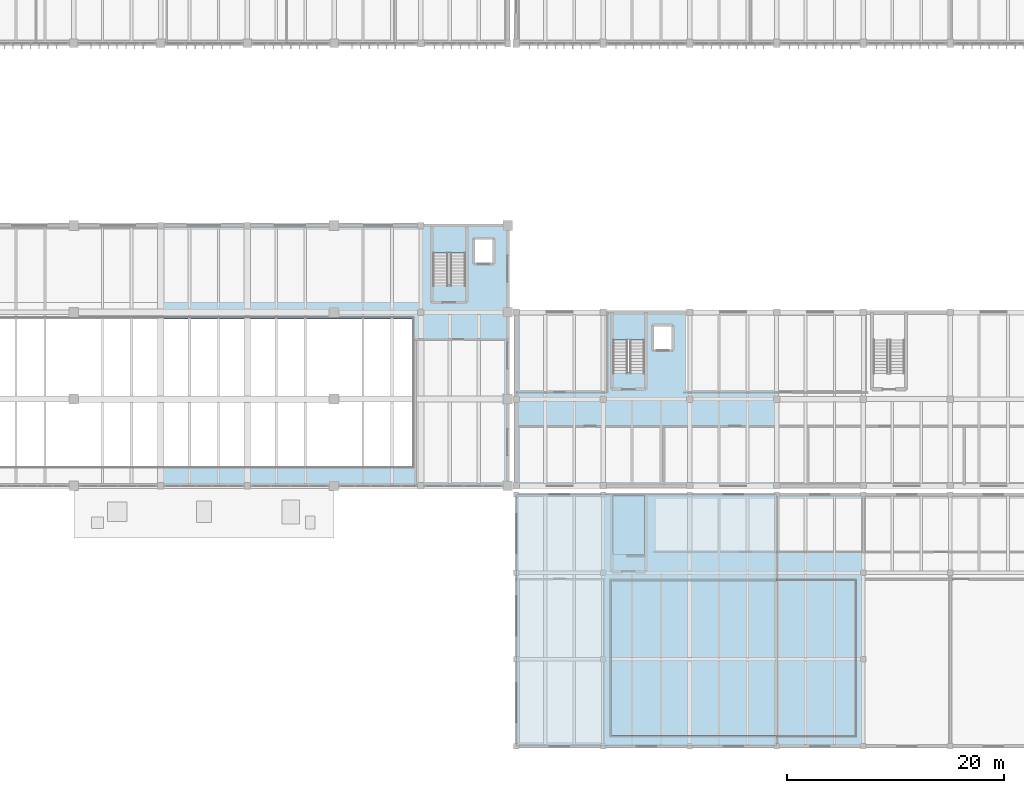
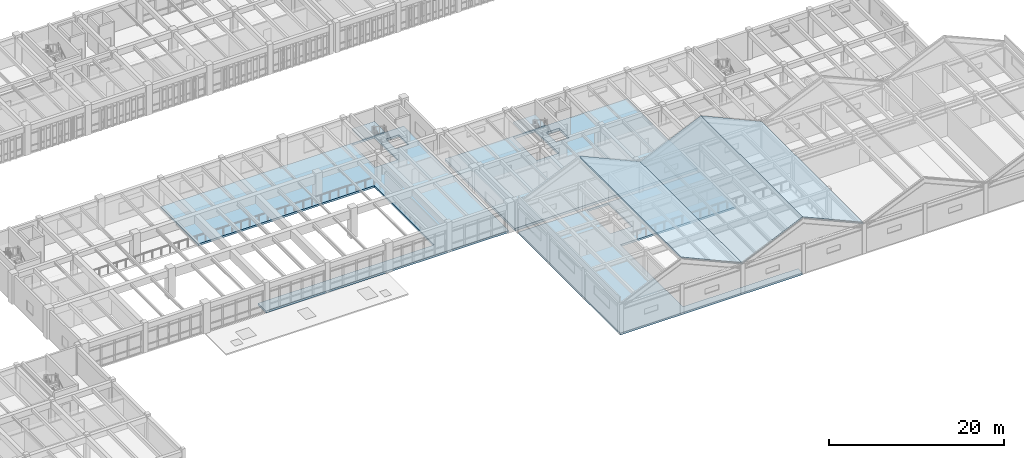
# One storey, part 33 of 67: 8 slabs, 2 elements without a shape of their own.
"""IFC4 building model written with IfcOpenShell, lengths in metres."""

from ifc_helpers import new_model, si_unit, direction, frame, origin, place, context, subcontext, project, spatial, polyline, outline, extrude, material, layer, layer_set, type_object, element, aggregate, save


model = new_model("IFC4")

# Units and contexts
model_context = context("Model", 3, precision=1e-05, world=origin(), true_north=direction((0.0, 1.0)))
body_context = subcontext(model_context, "Body", "Model", "MODEL_VIEW")
ifc_project = project(units=[si_unit("LENGTHUNIT", "METRE"), si_unit("AREAUNIT", "SQUARE_METRE"), si_unit("VOLUMEUNIT", "CUBIC_METRE"), si_unit("PLANEANGLEUNIT", "RADIAN"), si_unit("MASSUNIT", "GRAM", prefix="KILO")], contexts=[model_context])

# Site, building, storey
site_placement = place(None, origin())
site = spatial("IfcSite", under=ifc_project, at=site_placement, CompositionType="ELEMENT")
building_placement = place(site_placement, origin())
building = spatial("IfcBuilding", under=site, at=building_placement, Name="Tlaxcora Railside Police Headquarters", CompositionType="ELEMENT")
storey_placement = place(building_placement, frame((0.0, 0.0, 4.800048828125)))
storey = spatial("IfcBuildingStorey", under=building, at=storey_placement, Name="L01", CompositionType="ELEMENT", Elevation=4.800048828125)

# Slabs
ifc_material_1 = material(Name="Concrete C40/50", Category="concrete")
ifc_layer_1 = layer(ifc_material_1, 0.199951171875, Name="Concrete C40/50")
ifc_layer_set_1 = layer_set([ifc_layer_1], Name="Concrete C40/50")
slab_type_1 = type_object("IfcSlabType", Name="Folded or Flat Roof Slab SL-77", PredefinedType="ROOF", material=ifc_layer_set_1)
slab_1_placement = place(storey_placement, frame((110.800048828125, 35.199951171875, 0.0), z_axis=(0.0, -1.0, 0.0), x_axis=(1.0, 0.0, 0.0)))
element("IfcSlab", 1, at=slab_1_placement, inside=storey, type_object=slab_type_1, Name="Gymnasium-Range folded roof 1 east facet", PredefinedType="ROOF", context=body_context, shape_type="SweptSolid", body=[
    extrude(outline(polyline([(0.0, 7.580810546875), (8.0, 3.980712890625), (8.0, 4.199951171875), (0.0, 7.800048828125), (0.0, 7.580810546875)])), origin(), (0.0, 0.0, 1.0), 23.199951171875),
])
slab_2_placement = place(storey_placement, frame((118.800048828125, 35.199951171875, 0.0), z_axis=(0.0, -1.0, 0.0), x_axis=(1.0, 0.0, 0.0)))
element("IfcSlab", 2, at=slab_2_placement, inside=storey, type_object=slab_type_1, Name="Gymnasium-Range folded roof 2 west facet", PredefinedType="ROOF", context=body_context, shape_type="SweptSolid", body=[
    extrude(outline(polyline([(0.0, 3.980712890625), (8.0, 7.580810546875), (8.0, 7.800048828125), (0.0, 4.199951171875), (0.0, 3.980712890625)])), origin(), (0.0, 0.0, 1.0), 23.199951171875),
])
slab_3_placement = place(storey_placement, frame((126.800048828125, 35.199951171875, 0.0), z_axis=(0.0, -1.0, 0.0), x_axis=(1.0, 0.0, 0.0)))
element("IfcSlab", 3, at=slab_3_placement, inside=storey, type_object=slab_type_1, Name="Gymnasium-Range folded roof 2 east facet", PredefinedType="ROOF", context=body_context, shape_type="SweptSolid", body=[
    extrude(outline(polyline([(0.0, 7.580810546875), (8.0, 3.980712890625), (8.0, 4.199951171875), (0.0, 7.800048828125), (0.0, 7.580810546875)])), origin(), (0.0, 0.0, 1.0), 23.199951171875),
])

# Stair, slab
stair_type_1 = type_object("IfcStairType", Name="Half-Turn Dog-Leg Stair ST-45", PredefinedType="HALF_TURN_STAIR", material=ifc_material_1)
stair_1_placement = place(storey_placement, origin())
stair_1 = element("IfcStair", 4, at=stair_1_placement, inside=storey, type_object=stair_type_1, Name="L01 ST9", PredefinedType="HALF_TURN_STAIR")
ifc_material_2 = material(Name="Concrete C35/45", Category="concrete")
ifc_layer_2 = layer(ifc_material_2, 0.199951171875, Name="Concrete C35/45")
ifc_layer_set_2 = layer_set([ifc_layer_2], Name="Concrete C35/45")
slab_type_2 = type_object("IfcSlabType", Name="Stair Landing Slab SL-23", PredefinedType="LANDING", material=ifc_layer_set_2)
slab_4_placement = place(storey_placement, frame((0.0, 0.0, 1.89990234375)))
slab_4 = element("IfcSlab", 5, at=slab_4_placement, type_object=slab_type_2, Name="ST9 landing 1", PredefinedType="LANDING", context=body_context, shape_type="SweptSolid", body=[
    extrude(outline(polyline([(98.110107421875, 57.489990234375), (98.110107421875, 59.889892578125), (95.110107421875, 59.889892578125), (95.110107421875, 57.489990234375), (98.110107421875, 57.489990234375)])), origin(), (0.0, 0.0, 1.0), 0.199951171875),
])
aggregate(stair_1, [slab_4])

stair_type_2 = type_object("IfcStairType", Name="Half-Turn Dog-Leg Stair ST-49", PredefinedType="HALF_TURN_STAIR", material=ifc_material_1)
stair_2_placement = place(storey_placement, origin())
stair_2 = element("IfcStair", 6, at=stair_2_placement, inside=storey, type_object=stair_type_2, Name="L01 ST5", PredefinedType="HALF_TURN_STAIR")
slab_5_placement = place(storey_placement, frame((0.0, 0.0, 1.89990234375)))
slab_5 = element("IfcSlab", 7, at=slab_5_placement, type_object=slab_type_2, Name="ST5 landing 1", PredefinedType="LANDING", context=body_context, shape_type="SweptSolid", body=[
    extrude(outline(polyline([(114.610107421875, 49.43994140625), (114.610107421875, 51.889892578125), (111.7099609375, 51.889892578125), (111.7099609375, 49.43994140625), (114.610107421875, 49.43994140625)])), origin(), (0.0, 0.0, 1.0), 0.199951171875),
])
aggregate(stair_2, [slab_5])

# Slabs
ifc_layer_3 = layer(ifc_material_2, 0.27001953125, Name="Concrete C35/45")
ifc_layer_set_3 = layer_set([ifc_layer_3], Name="Concrete C35/45")
slab_type_3 = type_object("IfcSlabType", Name="Suspended Floor Slab SL-36", PredefinedType="FLOOR", material=ifc_layer_set_3)
slab_6_placement = place(storey_placement, frame((0.0, 0.0, -0.27001953125)))
element("IfcSlab", 8, at=slab_6_placement, inside=storey, type_object=slab_type_3, Name="V1 L01 floor slab zone 2", PredefinedType="FLOOR", context=body_context, shape_type="SweptSolid", body=[
    extrude(outline(polyline([(70.0, 37.800048828125), (70.0, 36.0), (102.0, 36.0), (102.0, 60.0), (70.0, 60.0), (70.0, 51.39990234375), (93.199951171875, 51.39990234375), (93.199951171875, 37.800048828125), (70.0, 37.800048828125)]), holes=[polyline([(98.110107421875, 59.889892578125), (98.110107421875, 54.550048828125), (95.110107421875, 54.550048828125), (95.110107421875, 59.889892578125), (98.110107421875, 59.889892578125)]), polyline([(100.64990234375, 56.550048828125), (98.949951171875, 56.550048828125), (98.949951171875, 58.75), (100.64990234375, 58.75), (100.64990234375, 56.550048828125)])]), origin(), (0.0, 0.0, 1.0), 0.27001953125),
])
slab_7_placement = place(storey_placement, frame((0.0, 0.0, -0.27001953125)))
element("IfcSlab", 9, at=slab_7_placement, inside=storey, type_object=slab_type_3, Name="V3 L01 floor slab zone 1", PredefinedType="FLOOR", context=body_context, shape_type="SweptSolid", body=[
    extrude(outline(polyline([(126.800048828125, 27.199951171875), (126.800048828125, 35.199951171875), (102.800048828125, 35.199951171875), (102.800048828125, 12.0), (126.800048828125, 12.0), (126.800048828125, 13.0), (111.60009765625, 13.0), (111.60009765625, 27.199951171875), (126.800048828125, 27.199951171875)]), holes=[polyline([(114.610107421875, 35.090087890625), (114.610107421875, 29.699951171875), (111.7099609375, 29.699951171875), (111.7099609375, 35.090087890625), (114.610107421875, 35.090087890625)])]), origin(), (0.0, 0.0, 1.0), 0.27001953125),
])
ifc_layer_4 = layer(ifc_material_1, 0.340087890625, Name="Concrete C40/50")
ifc_layer_set_4 = layer_set([ifc_layer_4], Name="Concrete C40/50")
slab_type_4 = type_object("IfcSlabType", Name="Suspended Floor Slab SL-48", PredefinedType="FLOOR", material=ifc_layer_set_4)
slab_8_placement = place(storey_placement, frame((0.0, 0.0, -0.340087890625)))
element("IfcSlab", 10, at=slab_8_placement, inside=storey, type_object=slab_type_4, Name="V7 L01 floor slab zone 1", PredefinedType="FLOOR", context=body_context, shape_type="SweptSolid", body=[
    extrude(outline(polyline([(126.800048828125, 52.0), (102.800048828125, 52.0), (102.800048828125, 36.0), (126.800048828125, 36.0), (126.800048828125, 52.0)]), holes=[polyline([(111.7099609375, 51.889892578125), (114.610107421875, 51.889892578125), (114.610107421875, 46.5), (111.7099609375, 46.5), (111.7099609375, 51.889892578125)]), polyline([(117.14990234375, 50.75), (117.14990234375, 48.550048828125), (115.449951171875, 48.550048828125), (115.449951171875, 50.75), (117.14990234375, 50.75)])]), origin(), (0.0, 0.0, 1.0), 0.340087890625),
])

save(model, "model.ifc")
